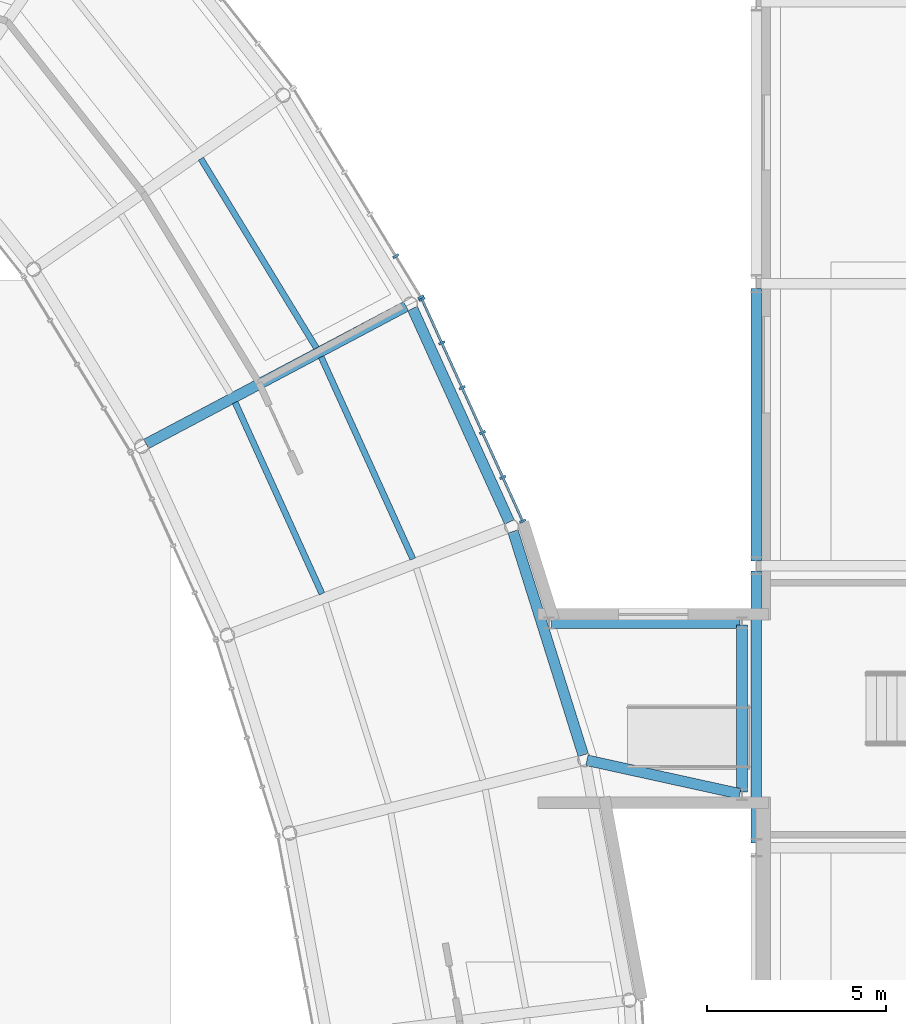
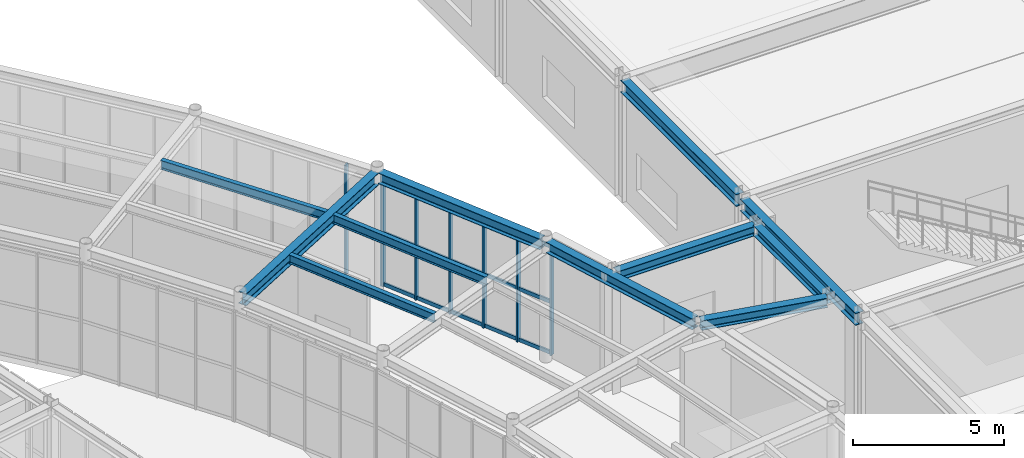
# One storey, part 50 of 97: 11 beams, 11 members, 2 elements without a shape of their own.
"""IFC4 building model written with IfcOpenShell, lengths in metres."""

from ifc_helpers import new_model, si_unit, direction, frame, origin, origin_2d, place, context, subcontext, project, spatial, rectangle, i_section, extrude, material, material_profile, profile_set, type_object, element, aggregate, save


model = new_model("IFC4")

# Units and contexts
model_context = context("Model", 3, precision=1e-05, world=origin(), true_north=direction((0.0, 1.0)))
body_context = subcontext(model_context, "Body", "Model", "MODEL_VIEW")
ifc_project = project(units=[si_unit("LENGTHUNIT", "METRE"), si_unit("AREAUNIT", "SQUARE_METRE"), si_unit("VOLUMEUNIT", "CUBIC_METRE"), si_unit("PLANEANGLEUNIT", "RADIAN"), si_unit("MASSUNIT", "GRAM", prefix="KILO")], contexts=[model_context])

# Site, building, storey
site_placement = place(None, origin())
site = spatial("IfcSite", under=ifc_project, at=site_placement, CompositionType="ELEMENT")
building_placement = place(site_placement, origin())
building = spatial("IfcBuilding", under=site, at=building_placement, Name="Varnklinge Art Gallery", CompositionType="ELEMENT")
storey_placement = place(building_placement, origin())
storey = spatial("IfcBuildingStorey", under=building, at=storey_placement, Name="L00", CompositionType="ELEMENT", Elevation=0.0)

# Beams
ifc_material_1 = material(Name="Steel S355", Category="steel")
ifc_material_profile_1 = material_profile(ifc_material_1, i_section(OverallWidth=0.300048828125, OverallDepth=0.489990234375, WebThickness=0.011962890625, FlangeThickness=0.02294921875, FilletRadius=0.027099609375, at=origin_2d()), Name="HEA 500")
ifc_profile_set_1 = profile_set([ifc_material_profile_1], Name="Steel S355")
beam_type_1 = type_object("IfcBeamType", Name="BM-07", PredefinedType="BEAM", material=ifc_profile_set_1)
beam_1_placement = place(storey_placement, frame((104.592529296875, 81.265380859375, 4.635009765625), z_axis=(-0.883713647739, -0.468027978651, 0.0), x_axis=(0.468027978651, -0.883713647739, 0.0)))
element("IfcBeam", 1, at=beam_1_placement, inside=storey, type_object=beam_type_1, Name="L00 BM-07 BM-V2-L01-R11", PredefinedType="BEAM", context=body_context, shape_type="SweptSolid", body=[
    extrude(i_section(OverallWidth=0.300048828125, OverallDepth=0.489990234375, WebThickness=0.011962890625, FlangeThickness=0.02294921875, FilletRadius=0.027099609375, at=origin_2d()), origin(), (0.0, 0.0, 1.0), 8.237060546875),
])
ifc_material_2 = material(Name="Steel S355", Category="steel")
ifc_material_profile_2 = material_profile(ifc_material_2, i_section(OverallWidth=0.300048828125, OverallDepth=0.389892578125, WebThickness=0.010986328125, FlangeThickness=0.01904296875, FilletRadius=0.027099609375, at=origin_2d()), Name="HEA 400")
ifc_profile_set_2 = profile_set([ifc_material_profile_2], Name="Steel S355")
beam_type_2 = type_object("IfcBeamType", Name="BM-09", PredefinedType="BEAM", material=ifc_profile_set_2)
beam_2_placement = place(storey_placement, frame((109.656982421875, 68.552978515625, 4.68505859375), z_axis=(0.976758555848, -0.214342537955, 0.0), x_axis=(0.214342537955, 0.976758555848, 0.0)))
element("IfcBeam", 2, at=beam_2_placement, inside=storey, type_object=beam_type_2, Name="L00 BM-09 BM-LNK-V1-L01-1", PredefinedType="BEAM", context=body_context, shape_type="SweptSolid", body=[
    extrude(i_section(OverallWidth=0.300048828125, OverallDepth=0.389892578125, WebThickness=0.010986328125, FlangeThickness=0.01904296875, FilletRadius=0.027099609375, at=origin_2d()), origin(), (0.0, 0.0, 1.0), 4.386474609375),
])
beam_3_placement = place(storey_placement, frame((114.0, 67.659912109375, 4.68505859375), z_axis=(0.0, 1.0, 0.0), x_axis=(-1.0, 0.0, 0.0)))
element("IfcBeam", 3, at=beam_3_placement, inside=storey, type_object=beam_type_2, Name="L00 BM-09 BM-LNK-V1-L01-2", PredefinedType="BEAM", context=body_context, shape_type="SweptSolid", body=[
    extrude(i_section(OverallWidth=0.300048828125, OverallDepth=0.389892578125, WebThickness=0.010986328125, FlangeThickness=0.01904296875, FilletRadius=0.027099609375, at=origin_2d()), origin(), (0.0, 0.0, 1.0), 4.68017578125),
])
beam_4_placement = place(storey_placement, frame((113.93994140625, 72.39990234375, 4.68505859375), z_axis=(-1.0, 0.0, 0.0), x_axis=(0.0, -1.0, 0.0)))
element("IfcBeam", 4, at=beam_4_placement, inside=storey, type_object=beam_type_2, Name="L00 BM-09 BM-LNK-V1-L01-3", PredefinedType="BEAM", context=body_context, shape_type="SweptSolid", body=[
    extrude(i_section(OverallWidth=0.300048828125, OverallDepth=0.389892578125, WebThickness=0.010986328125, FlangeThickness=0.01904296875, FilletRadius=0.027099609375, at=origin_2d()), origin(), (0.0, 0.0, 1.0), 5.280029296875),
])
ifc_material_3 = material(Name="Steel S355", Category="steel")
ifc_material_profile_3 = material_profile(ifc_material_3, i_section(OverallWidth=0.169921875, OverallDepth=0.360107421875, WebThickness=0.008056640625, FlangeThickness=0.0126953125, FilletRadius=0.01806640625, at=origin_2d()), Name="IPE 360")
ifc_profile_set_3 = profile_set([ifc_material_profile_3], Name="Steel S355")
beam_type_3 = type_object("IfcBeamType", Name="JST-06", PredefinedType="JOIST", material=ifc_profile_set_3)
beam_5_placement = place(storey_placement, frame((104.783935546875, 74.190185546875, 4.699951171875), z_axis=(-0.413409198448, 0.910545350127, 0.0), x_axis=(-0.910545350127, -0.413409198448, 0.0)))
element("IfcBeam", 5, at=beam_5_placement, inside=storey, type_object=beam_type_3, Name="L00 JST-06 JST-V2-L01-10-1", PredefinedType="JOIST", context=body_context, shape_type="SweptSolid", body=[
    extrude(i_section(OverallWidth=0.169921875, OverallDepth=0.360107421875, WebThickness=0.008056640625, FlangeThickness=0.0126953125, FilletRadius=0.01806640625, at=origin_2d()), origin(), (0.0, 0.0, 1.0), 6.2138671875),
])
beam_6_placement = place(storey_placement, frame((102.23828125, 73.216552734375, 4.699951171875), z_axis=(-0.413430786601, 0.910535548285, 0.0), x_axis=(-0.910535548285, -0.413430786601, 0.0)))
element("IfcBeam", 6, at=beam_6_placement, inside=storey, type_object=beam_type_3, Name="L00 JST-06 JST-V2-L01-10-2", PredefinedType="JOIST", context=body_context, shape_type="SweptSolid", body=[
    extrude(i_section(OverallWidth=0.169921875, OverallDepth=0.360107421875, WebThickness=0.008056640625, FlangeThickness=0.0126953125, FilletRadius=0.01806640625, at=origin_2d()), origin(), (0.0, 0.0, 1.0), 5.88232421875),
])
beam_7_placement = place(storey_placement, frame((102.084228515625, 80.09521484375, 4.699951171875), z_axis=(-0.520923848619, 0.853603153661, 0.0), x_axis=(-0.853603153661, -0.520923848619, 0.0)))
element("IfcBeam", 7, at=beam_7_placement, inside=storey, type_object=beam_type_3, Name="L00 JST-06 JST-V2-L01-11-1", PredefinedType="JOIST", context=body_context, shape_type="SweptSolid", body=[
    extrude(i_section(OverallWidth=0.169921875, OverallDepth=0.360107421875, WebThickness=0.008056640625, FlangeThickness=0.0126953125, FilletRadius=0.01806640625, at=origin_2d()), origin(), (0.0, 0.0, 1.0), 6.213623046875),
])

# Curtain wall, members
ifc_material_4 = material(Name="Anodised Aluminium", Category="aluminium")
curtain_wall_type = type_object("IfcCurtainWallType", Name="CW-R01", PredefinedType="USERDEFINED", material=ifc_material_4)
curtain_wall_1_placement = place(storey_placement, origin())
curtain_wall_1 = element("IfcCurtainWall", 8, at=curtain_wall_1_placement, inside=storey, type_object=curtain_wall_type, Name="L00 Curtain Wall CW-V2O-L00-10", ObjectType="UNITISED CURTAIN WALL", PredefinedType="USERDEFINED")
ifc_material_5 = material(Name="Anodised Aluminium", Category="aluminium")
ifc_material_profile_4 = material_profile(ifc_material_5, rectangle(XDim=0.06494140625, YDim=0.179931640625, at=origin_2d()), Name="ALU 65x180")
ifc_profile_set_4 = profile_set([ifc_material_profile_4], Name="Anodised Aluminium")
member_type_1 = type_object("IfcMemberType", Name="MUL-01", PredefinedType="MULLION", material=ifc_profile_set_4)
member_1_placement = place(storey_placement, frame((107.860107421875, 75.251708984375, 0.0), z_axis=(0.0, 0.0, 1.0), x_axis=(-0.413422293217, 0.910539404678, 0.0)))
member_1 = element("IfcMember", 9, at=member_1_placement, type_object=member_type_1, Name="CW-V2O-L00-10 Mullion 1", PredefinedType="MULLION", context=body_context, shape_type="SweptSolid", body=[
    extrude(rectangle(XDim=0.06494140625, YDim=0.179931640625, at=origin_2d()), origin(), (0.0, 0.0, 1.0), 4.429931640625),
])
member_2_placement = place(storey_placement, frame((107.3037109375, 76.476806640625, 0.0), z_axis=(0.0, 0.0, 1.0), x_axis=(-0.413422293217, 0.910539404678, 0.0)))
member_2 = element("IfcMember", 10, at=member_2_placement, type_object=member_type_1, Name="CW-V2O-L00-10 Mullion 2", PredefinedType="MULLION", context=body_context, shape_type="SweptSolid", body=[
    extrude(rectangle(XDim=0.06494140625, YDim=0.179931640625, at=origin_2d()), origin(), (0.0, 0.0, 1.0), 4.429931640625),
])
member_3_placement = place(storey_placement, frame((106.734130859375, 77.731201171875, 0.0), z_axis=(0.0, 0.0, 1.0), x_axis=(-0.413422293217, 0.910539404678, 0.0)))
member_3 = element("IfcMember", 11, at=member_3_placement, type_object=member_type_1, Name="CW-V2O-L00-10 Mullion 3", PredefinedType="MULLION", context=body_context, shape_type="SweptSolid", body=[
    extrude(rectangle(XDim=0.06494140625, YDim=0.179931640625, at=origin_2d()), origin(), (0.0, 0.0, 1.0), 4.429931640625),
])
member_4_placement = place(storey_placement, frame((106.164794921875, 78.98583984375, 0.0), z_axis=(0.0, 0.0, 1.0), x_axis=(-0.413422293217, 0.910539404678, 0.0)))
member_4 = element("IfcMember", 12, at=member_4_placement, type_object=member_type_1, Name="CW-V2O-L00-10 Mullion 4", PredefinedType="MULLION", context=body_context, shape_type="SweptSolid", body=[
    extrude(rectangle(XDim=0.06494140625, YDim=0.179931640625, at=origin_2d()), origin(), (0.0, 0.0, 1.0), 4.429931640625),
])
member_5_placement = place(storey_placement, frame((105.59521484375, 80.240234375, 0.0), z_axis=(0.0, 0.0, 1.0), x_axis=(-0.413422293217, 0.910539404678, 0.0)))
member_5 = element("IfcMember", 13, at=member_5_placement, type_object=member_type_1, Name="CW-V2O-L00-10 Mullion 5", PredefinedType="MULLION", context=body_context, shape_type="SweptSolid", body=[
    extrude(rectangle(XDim=0.06494140625, YDim=0.179931640625, at=origin_2d()), origin(), (0.0, 0.0, 1.0), 4.429931640625),
])
member_6_placement = place(storey_placement, frame((105.038818359375, 81.465087890625, 0.0), z_axis=(0.0, 0.0, 1.0), x_axis=(-0.413422293217, 0.910539404678, 0.0)))
member_6 = element("IfcMember", 14, at=member_6_placement, type_object=member_type_1, Name="CW-V2O-L00-10 Mullion 6", PredefinedType="MULLION", context=body_context, shape_type="SweptSolid", body=[
    extrude(rectangle(XDim=0.06494140625, YDim=0.179931640625, at=origin_2d()), origin(), (0.0, 0.0, 1.0), 4.429931640625),
])

curtain_wall_2_placement = place(storey_placement, origin())
curtain_wall_2 = element("IfcCurtainWall", 15, at=curtain_wall_2_placement, inside=storey, type_object=curtain_wall_type, Name="L00 Curtain Wall CW-V2O-L00-11", ObjectType="UNITISED CURTAIN WALL", PredefinedType="USERDEFINED")
member_7_placement = place(storey_placement, frame((105.008544921875, 81.5224609375, 0.0), z_axis=(0.0, 0.0, 1.0), x_axis=(-0.520860651188, 0.85364171761, 0.0)))
member_7 = element("IfcMember", 16, at=member_7_placement, type_object=member_type_1, Name="CW-V2O-L00-11 Mullion 1", PredefinedType="MULLION", context=body_context, shape_type="SweptSolid", body=[
    extrude(rectangle(XDim=0.06494140625, YDim=0.179931640625, at=origin_2d()), origin(), (0.0, 0.0, 1.0), 4.429931640625),
])
member_8_placement = place(storey_placement, frame((104.307861328125, 82.6708984375, 0.0), z_axis=(0.0, 0.0, 1.0), x_axis=(-0.520860651188, 0.85364171761, 0.0)))
member_8 = element("IfcMember", 17, at=member_8_placement, type_object=member_type_1, Name="CW-V2O-L00-11 Mullion 2", PredefinedType="MULLION", context=body_context, shape_type="SweptSolid", body=[
    extrude(rectangle(XDim=0.06494140625, YDim=0.179931640625, at=origin_2d()), origin(), (0.0, 0.0, 1.0), 4.429931640625),
])
aggregate(curtain_wall_2, [member_7, member_8])

# Beams
ifc_material_6 = material(Name="Steel S355", Category="steel")
ifc_material_profile_5 = material_profile(ifc_material_6, i_section(OverallWidth=0.300048828125, OverallDepth=0.489990234375, WebThickness=0.011962890625, FlangeThickness=0.02294921875, FilletRadius=0.027099609375, at=origin_2d()), Name="HEA 500")
ifc_profile_set_5 = profile_set([ifc_material_profile_5], Name="Steel S355")
beam_type_4 = type_object("IfcBeamType", Name="SPB-01", PredefinedType="SPANDREL", material=ifc_profile_set_5)
for number, where, z_axis, x_axis, name in (
    (18, (114.39990234375, 66.239990234375, 4.635009765625), (0.0, 1.0, 0.0), (-1.0, 0.0, 0.0), "L00 SPB-01 BM-V1-L01-Y0-1"),
    (19, (114.39990234375, 74.139892578125, 4.635009765625), (0.0, 1.0, 0.0), (-1.0, 0.0, 0.0), "L00 SPB-01 BM-V1-L01-Y0-2"),
):
    element("IfcBeam", number, at=place(storey_placement, frame(where, z_axis=z_axis, x_axis=x_axis)), inside=storey, type_object=beam_type_4, Name=name, PredefinedType="SPANDREL", context=body_context, shape_type="SweptSolid", body=[
        extrude(i_section(OverallWidth=0.300048828125, OverallDepth=0.489990234375, WebThickness=0.011962890625, FlangeThickness=0.02294921875, FilletRadius=0.027099609375, at=origin_2d()), origin(), (0.0, 0.0, 1.0), 7.6201171875),
    ])
ifc_material_7 = material(Name="Steel S355", Category="steel")
ifc_material_profile_6 = material_profile(ifc_material_7, i_section(OverallWidth=0.300048828125, OverallDepth=0.43994140625, WebThickness=0.011474609375, FlangeThickness=0.02099609375, FilletRadius=0.027099609375, at=origin_2d()), Name="HEA 450")
ifc_profile_set_6 = profile_set([ifc_material_profile_6], Name="Steel S355")
beam_type_5 = type_object("IfcBeamType", Name="SPB-02", PredefinedType="SPANDREL", material=ifc_profile_set_6)
beam_8_placement = place(storey_placement, frame((109.556396484375, 68.699462890625, 4.659912109375), z_axis=(-0.299727009364, 0.95402501008, 0.0), x_axis=(-0.95402501008, -0.299727009364, 0.0)))
element("IfcBeam", 20, at=beam_8_placement, inside=storey, type_object=beam_type_5, Name="L00 SPB-02 BM-V2-L01-O09", PredefinedType="SPANDREL", context=body_context, shape_type="SweptSolid", body=[
    extrude(i_section(OverallWidth=0.300048828125, OverallDepth=0.43994140625, WebThickness=0.011474609375, FlangeThickness=0.02099609375, FilletRadius=0.027099609375, at=origin_2d()), origin(), (0.0, 0.0, 1.0), 6.56591796875),
])
beam_9_placement = place(storey_placement, frame((107.488525390625, 75.224609375, 4.659912109375), z_axis=(-0.413377101484, 0.910559922229, 0.0), x_axis=(-0.910559922229, -0.413377101484, 0.0)))
element("IfcBeam", 21, at=beam_9_placement, inside=storey, type_object=beam_type_5, Name="L00 SPB-02 BM-V2-L01-O10", PredefinedType="SPANDREL", context=body_context, shape_type="SweptSolid", body=[
    extrude(i_section(OverallWidth=0.300048828125, OverallDepth=0.43994140625, WebThickness=0.011474609375, FlangeThickness=0.02099609375, FilletRadius=0.027099609375, at=origin_2d()), origin(), (0.0, 0.0, 1.0), 6.56640625),
])

# Member
ifc_material_8 = material(Name="Anodised Aluminium", Category="aluminium")
ifc_material_profile_7 = material_profile(ifc_material_8, rectangle(XDim=0.06494140625, YDim=0.14990234375, at=origin_2d()), Name="ALU 65x150")
ifc_profile_set_7 = profile_set([ifc_material_profile_7], Name="Anodised Aluminium")
member_type_2 = type_object("IfcMemberType", Name="TRN-01", PredefinedType="USERDEFINED", material=ifc_profile_set_7)
member_9_placement = place(storey_placement, frame((107.860107421875, 75.251708984375, 0.074951171875), z_axis=(-0.413441708703, 0.910530589, 0.0), x_axis=(-0.910530589, -0.413441708703, 0.0)))
member_9 = element("IfcMember", 22, at=member_9_placement, type_object=member_type_2, Name="CW-V2O-L00-10 Transom 1", ObjectType="TRANSOM", PredefinedType="USERDEFINED", context=body_context, shape_type="SweptSolid", body=[
    extrude(rectangle(XDim=0.06494140625, YDim=0.14990234375, at=origin_2d()), origin(), (0.0, 0.0, 1.0), 6.823974609375),
])

member_10_placement = place(storey_placement, frame((107.860107421875, 75.251708984375, 2.12646484375), z_axis=(-0.413441708703, 0.910530589, 0.0), x_axis=(-0.910530589, -0.413441708703, 0.0)))
member_10 = element("IfcMember", 23, at=member_10_placement, type_object=member_type_2, Name="CW-V2O-L00-10 Transom 2", ObjectType="TRANSOM", PredefinedType="USERDEFINED", context=body_context, shape_type="SweptSolid", body=[
    extrude(rectangle(XDim=0.06494140625, YDim=0.14990234375, at=origin_2d()), origin(), (0.0, 0.0, 1.0), 6.823974609375),
])

member_11_placement = place(storey_placement, frame((107.860107421875, 75.251708984375, 4.35498046875), z_axis=(-0.413441708703, 0.910530589, 0.0), x_axis=(-0.910530589, -0.413441708703, 0.0)))
member_11 = element("IfcMember", 24, at=member_11_placement, type_object=member_type_2, Name="CW-V2O-L00-10 Transom 3", ObjectType="TRANSOM", PredefinedType="USERDEFINED", context=body_context, shape_type="SweptSolid", body=[
    extrude(rectangle(XDim=0.06494140625, YDim=0.14990234375, at=origin_2d()), origin(), (0.0, 0.0, 1.0), 6.823974609375),
])

aggregate(curtain_wall_1, [member_1, member_2, member_3, member_4, member_5, member_6, member_9, member_10, member_11])

save(model, "model.ifc")
